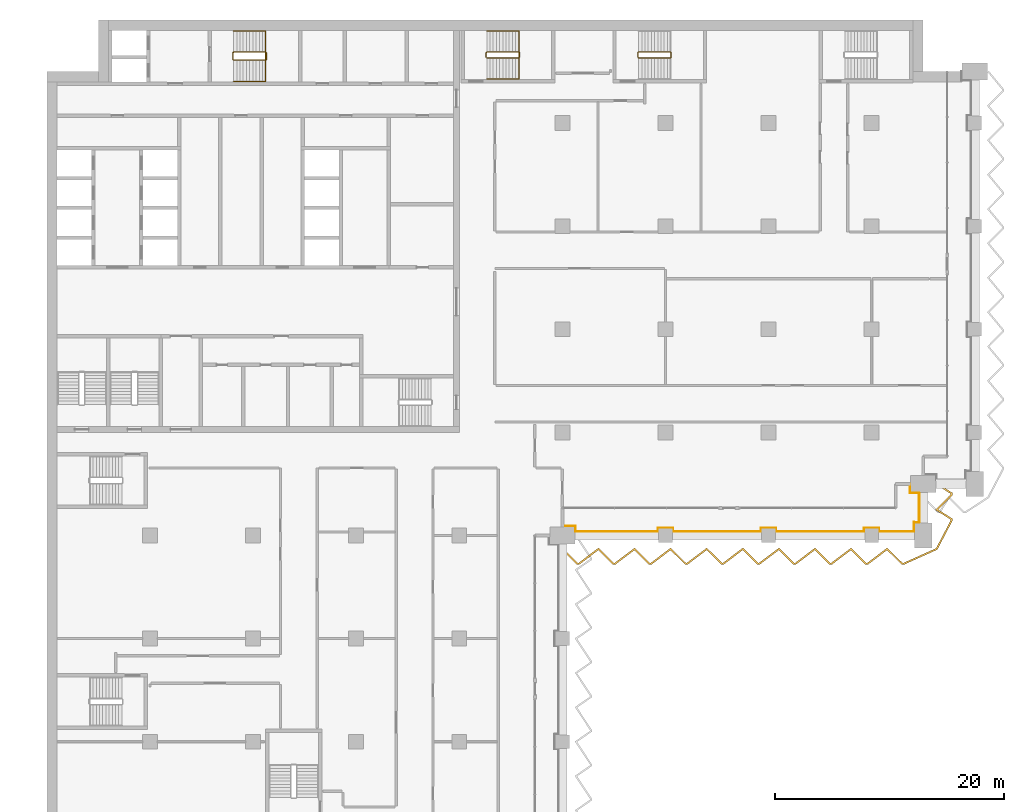
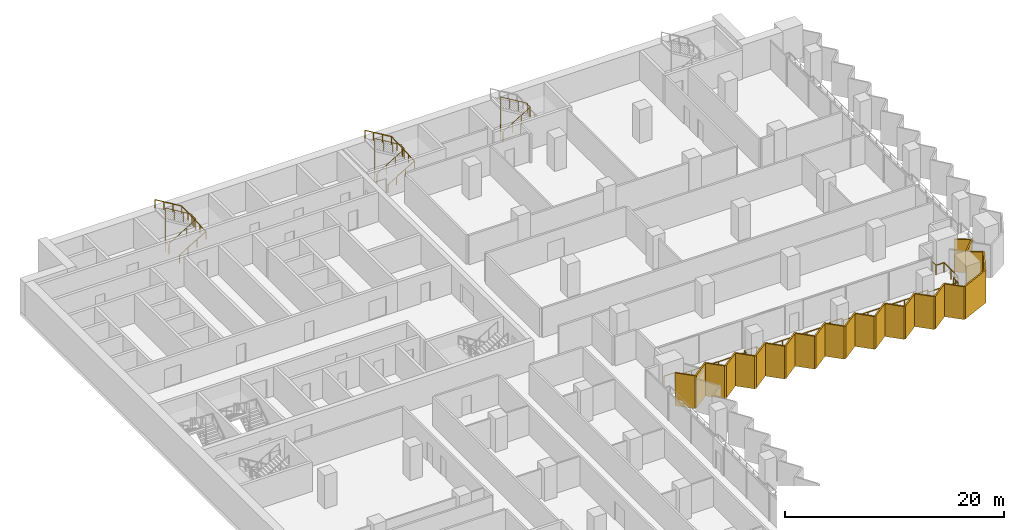
# One storey, part 22 of 23: 6 railings, 1 shading device.
"""IFC4 building model written with IfcOpenShell, lengths in metres."""

import ifcopenshell
import ifcopenshell.guid

model = None  # the IFC model being written
_history = None  # IfcOwnerHistory: only IFC2X3 demands one
_inside = {}  # id of a spatial element -> (the spatial element, [elements in it])
_under = {}  # id of a project, library or spatial element -> (it, [spatial elements below it])
_declared = {}  # id of a project -> (the project, [libraries it declares])
_typed = {}  # id of a type object -> (the type object, [elements of that type])
_made_of = {}  # id of a material, layer set ... -> (it, [elements and type objects made of it])


def new_model(schema):
    """Start an empty IFC model of exactly this schema.

    Asked for "IFC4X3", IfcOpenShell would pick the latest addendum, in which some entities
    have other attributes; the version numbers below select the first issue.
    IFC2X3 requires an IfcOwnerHistory on every rooted entity: one is made here for all.
    """
    global model, _history
    if schema == "IFC4X3":
        model = ifcopenshell.file(schema_version=(4, 3, 0, 0))
    else:
        model = ifcopenshell.file(schema=schema)
    _inside.clear()
    _under.clear()
    _declared.clear()
    _typed.clear()
    _made_of.clear()
    _history = None
    if model.schema == "IFC2X3":
        org = make("IfcOrganization", Name="unknown")
        user = make(
            "IfcPersonAndOrganization",
            ThePerson=make("IfcPerson", FamilyName="unknown"),
            TheOrganization=org,
        )
        app = make(
            "IfcApplication",
            ApplicationDeveloper=org,
            Version="unknown",
            ApplicationFullName="unknown",
            ApplicationIdentifier="unknown",
        )
        _history = make(
            "IfcOwnerHistory",
            OwningUser=user,
            OwningApplication=app,
            ChangeAction="ADDED",
            CreationDate=0,
        )
    return model


def make(cls, **values):
    """One entity of the class cls with the attributes given. An attribute that is None is left unset."""
    return model.create_entity(
        cls, **{name: value for name, value in values.items() if value is not None}
    )


def rooted(cls, **values):
    """An entity with a GlobalId (a new one), such as an element, a storey or a relation."""
    return make(cls, GlobalId=ifcopenshell.guid.new(), OwnerHistory=_history, **values)


def si_unit(unit_type, name, prefix=None):
    """IfcSIUnit, for example si_unit("LENGTHUNIT", "METRE", prefix="MILLI")."""
    return make("IfcSIUnit", UnitType=unit_type, Prefix=prefix, Name=name)


def assignment(units):
    """IfcUnitAssignment: the units of a project."""
    return None if units is None else make("IfcUnitAssignment", Units=units)


def point(xyz):
    """IfcCartesianPoint."""
    return None if xyz is None else make("IfcCartesianPoint", Coordinates=xyz)


def direction(xyz):
    """IfcDirection."""
    return None if xyz is None else make("IfcDirection", DirectionRatios=xyz)


def frame(location, z_axis=None, x_axis=None):
    """IfcAxis2Placement3D, a coordinate frame: its origin and axes. An axis left out is left unset."""
    return make(
        "IfcAxis2Placement3D",
        Location=point(location),
        Axis=direction(z_axis),
        RefDirection=direction(x_axis),
    )


def frame_2d(location, x_axis=None):
    """IfcAxis2Placement2D, a coordinate frame in the plane: its origin and x axis."""
    return make(
        "IfcAxis2Placement2D", Location=point(location), RefDirection=direction(x_axis)
    )


def origin():
    """The frame at (0, 0, 0) with its axes left unset."""
    return frame((0.0, 0.0, 0.0))


def origin_2d():
    """The frame at (0, 0) in the plane with its x axis left unset."""
    return frame_2d((0.0, 0.0))


def place(relative_to, where):
    """IfcLocalPlacement: puts the frame where relative to a parent placement (None: the world)."""
    return make(
        "IfcLocalPlacement", PlacementRelTo=relative_to, RelativePlacement=where
    )


def context(
    kind, dimensions, precision=None, world=None, true_north=None, identifier=None
):
    """IfcGeometricRepresentationContext, for example the 3D "Model" context."""
    return make(
        "IfcGeometricRepresentationContext",
        ContextIdentifier=identifier,
        ContextType=kind,
        CoordinateSpaceDimension=dimensions,
        Precision=precision,
        WorldCoordinateSystem=world,
        TrueNorth=true_north,
    )


def subcontext(parent, identifier, kind, view, scale=None):
    """IfcGeometricRepresentationSubContext, for example "Body" below "Model"."""
    return make(
        "IfcGeometricRepresentationSubContext",
        ContextIdentifier=identifier,
        ContextType=kind,
        ParentContext=parent,
        TargetScale=scale,
        TargetView=view,
    )


def project(units=None, contexts=None):
    """IfcProject with its units and contexts."""
    return rooted(
        "IfcProject",
        Name="project",
        RepresentationContexts=contexts,
        UnitsInContext=assignment(units),
    )


def spatial(cls, under=None, at=None, **own):
    """A site, building, storey or space (cls), placed at a placement, below another one or the project."""
    s = rooted(cls, ObjectPlacement=at, **own)
    if under is not None:
        _under.setdefault(under.id(), (under, []))[1].append(s)
    return s


def polyline(points):
    """IfcPolyline through the points."""
    return make("IfcPolyline", Points=[point(p) for p in points])


def profile(cls, at=None, kind="AREA", **sizes):
    """A parametric profile (cls). Its sizes go by their IFC names, for example OverallWidth=200.0."""
    return make(cls, ProfileType=kind, Position=at, **sizes)


def circle(**sizes):
    """IfcCircleProfileDef."""
    return profile("IfcCircleProfileDef", **sizes)


def outline(outer, holes=None, kind="AREA"):
    """IfcArbitraryClosedProfileDef: a profile drawn as a closed curve; with holes, ...WithVoids."""
    if holes is None:
        return make("IfcArbitraryClosedProfileDef", ProfileType=kind, OuterCurve=outer)
    return make(
        "IfcArbitraryProfileDefWithVoids",
        ProfileType=kind,
        OuterCurve=outer,
        InnerCurves=holes,
    )


def extrude(swept, where, along, depth):
    """IfcExtrudedAreaSolid: the profile swept, set in the frame where, extruded along a direction by depth."""
    return make(
        "IfcExtrudedAreaSolid",
        SweptArea=swept,
        Position=where,
        ExtrudedDirection=direction(along),
        Depth=depth,
    )


def shape(context_of_items, identifier, shape_type, items):
    """IfcShapeRepresentation: the items that make up one representation, for example the "Body"."""
    return make(
        "IfcShapeRepresentation",
        ContextOfItems=context_of_items,
        RepresentationIdentifier=identifier,
        RepresentationType=shape_type,
        Items=items,
    )


def material(Name=None, Category=None):
    """IfcMaterial."""
    return make("IfcMaterial", Name=Name, Category=Category)


def layer(
    of_material, thickness, ventilated=None, Name=None, Category=None, Priority=None
):
    """IfcMaterialLayer: one layer of a wall or slab, of a material (None: an air gap)."""
    return make(
        "IfcMaterialLayer",
        Material=of_material,
        LayerThickness=thickness,
        IsVentilated=ventilated,
        Name=Name,
        Category=Category,
        Priority=Priority,
    )


def layer_set(layers, Name=None):
    """IfcMaterialLayerSet."""
    return make("IfcMaterialLayerSet", MaterialLayers=layers, LayerSetName=Name)


def made_of(thing, what):
    """Note that an element or type object is made of a material, layer set ...; save() writes the relation."""
    if what is not None:
        _made_of.setdefault(what.id(), (what, []))[1].append(thing)
    return thing


def type_object(cls, material=None, **own):
    """A type object (cls), such as IfcWallType, which elements share."""
    return made_of(rooted(cls, **own), material)


def element(
    cls,
    number,
    at=None,
    inside=None,
    cuts=None,
    type_object=None,
    material=None,
    context=None,
    identifier="Body",
    shape_type=None,
    held_by="IfcProductDefinitionShape",
    body=None,
    shapes=None,
    **own,
):
    """One element of the class cls, such as IfcWall. Its Tag is "e" and its number.

    at: its placement. inside: the storey or other place that contains it. cuts: it is an
    opening in that element (IfcRelVoidsElement). A single representation is given by context,
    identifier, shape_type and body (its items); several are given by shapes. held_by: the class
    of the entity that holds the representations. save() writes the other relations.
    """
    e = rooted(cls, Tag="e%d" % number, ObjectPlacement=at, **own)
    if body is not None:
        shapes = [shape(context, identifier, shape_type, body)]
    if shapes is not None:
        e.Representation = make(held_by, Representations=shapes)
    if inside is not None:
        _inside.setdefault(inside.id(), (inside, []))[1].append(e)
    if cuts is not None:
        rooted(
            "IfcRelVoidsElement", RelatingBuildingElement=cuts, RelatedOpeningElement=e
        )
    if type_object is not None:
        _typed.setdefault(type_object.id(), (type_object, []))[1].append(e)
    return made_of(e, material)


def aggregate(whole, parts):
    """IfcRelAggregates: a whole, such as a stair, and the parts it consists of."""
    return rooted("IfcRelAggregates", RelatingObject=whole, RelatedObjects=parts)


def save(model, path):
    """Write the relations noted so far, then the file.

    IfcRelAggregates (storeys below a building ...), IfcRelContainedInSpatialStructure (elements
    in a storey), IfcRelDefinesByType, IfcRelAssociatesMaterial and IfcRelDeclares: one each for
    every whole, place, type object, material and project.
    """
    for whole, parts in _under.values():
        aggregate(whole, parts)
    for where, things in _inside.values():
        rooted(
            "IfcRelContainedInSpatialStructure",
            RelatedElements=things,
            RelatingStructure=where,
        )
    for kind, things in _typed.values():
        rooted("IfcRelDefinesByType", RelatedObjects=things, RelatingType=kind)
    for what, things in _made_of.values():
        rooted("IfcRelAssociatesMaterial", RelatedObjects=things, RelatingMaterial=what)
    for by, libraries in _declared.values():
        rooted("IfcRelDeclares", RelatingContext=by, RelatedDefinitions=libraries)
    model.write(path)


model = new_model("IFC4")

# Units and contexts
model_context = context("Model", 3, precision=1e-05, world=origin(), true_north=direction((0.0, 1.0)))
body_context = subcontext(model_context, "Body", "Model", "MODEL_VIEW")
ifc_project = project(units=[si_unit("LENGTHUNIT", "METRE"), si_unit("AREAUNIT", "SQUARE_METRE"), si_unit("VOLUMEUNIT", "CUBIC_METRE"), si_unit("PLANEANGLEUNIT", "RADIAN"), si_unit("MASSUNIT", "GRAM", prefix="KILO")], contexts=[model_context])

# Site, building, storey
site_placement = place(None, origin())
site = spatial("IfcSite", under=ifc_project, at=site_placement, CompositionType="ELEMENT")
building_placement = place(site_placement, origin())
building = spatial("IfcBuilding", under=site, at=building_placement, Name="Hunhe Ridgeline Campus", CompositionType="ELEMENT")
storey_placement = place(building_placement, frame((0.0, 0.0, 125.5)))
storey = spatial("IfcBuildingStorey", under=building, at=storey_placement, Name="L31", CompositionType="ELEMENT", Elevation=125.5)

# Railing
ifc_material_1 = material(Name="Steel Q355", Category="steel")
railing_type_1 = type_object("IfcRailingType", Name="Loggia guard 1100 Steel Q355", PredefinedType="GUARDRAIL", material=ifc_material_1)
railing_1_placement = place(storey_placement, frame((45.0, 54.820068359375, 0.0)))
element("IfcRailing", 1, at=railing_1_placement, inside=storey, type_object=railing_type_1, Name="Loggia guard 2", PredefinedType="GUARDRAIL", context=body_context, shape_type="SweptSolid", body=[
    extrude(circle(Radius=0.02392578125, at=origin_2d()), frame((0.0, 0.0, 1.076171875), z_axis=(1.0, 0.0, 0.0), x_axis=(0.0, 1.0, 0.0)), (0.0, 0.0, 1.0), 1.14990234375),
    extrude(circle(Radius=0.02392578125, at=origin_2d()), frame((1.14990234375, 0.0, 1.076171875), z_axis=(0.0, -1.0, 0.0), x_axis=(1.0, 0.0, 0.0)), (0.0, 0.0, 1.0), 0.469970703125),
    extrude(circle(Radius=0.02392578125, at=origin_2d()), frame((1.14990234375, -0.469970703125, 1.076171875), z_axis=(1.0, 0.0, 0.0), x_axis=(0.0, 1.0, 0.0)), (0.0, 0.0, 1.0), 7.2001953125),
    extrude(circle(Radius=0.02392578125, at=origin_2d()), frame((8.35009765625, -0.469970703125, 1.076171875), z_axis=(0.0, 1.0, 0.0), x_axis=(-1.0, 0.0, 0.0)), (0.0, 0.0, 1.0), 0.31982421875),
    extrude(circle(Radius=0.02392578125, at=origin_2d()), frame((8.35009765625, -0.150146484375, 1.076171875), z_axis=(1.0, 0.0, 0.0), x_axis=(0.0, 1.0, 0.0)), (0.0, 0.0, 1.0), 1.2998046875),
    extrude(circle(Radius=0.02392578125, at=origin_2d()), frame((9.64990234375, -0.150146484375, 1.076171875), z_axis=(0.0, -1.0, 0.0), x_axis=(1.0, 0.0, 0.0)), (0.0, 0.0, 1.0), 0.31982421875),
    extrude(circle(Radius=0.02392578125, at=origin_2d()), frame((9.64990234375, -0.469970703125, 1.076171875), z_axis=(1.0, 0.0, 0.0), x_axis=(0.0, 1.0, 0.0)), (0.0, 0.0, 1.0), 7.7001953125),
    extrude(circle(Radius=0.02392578125, at=origin_2d()), frame((17.35009765625, -0.469970703125, 1.076171875), z_axis=(0.0, 1.0, 0.0), x_axis=(-1.0, 0.0, 0.0)), (0.0, 0.0, 1.0), 0.31982421875),
    extrude(circle(Radius=0.02392578125, at=origin_2d()), frame((17.35009765625, -0.150146484375, 1.076171875), z_axis=(1.0, 0.0, 0.0), x_axis=(0.0, 1.0, 0.0)), (0.0, 0.0, 1.0), 1.2998046875),
    extrude(circle(Radius=0.02392578125, at=origin_2d()), frame((18.64990234375, -0.150146484375, 1.076171875), z_axis=(0.0, -1.0, 0.0), x_axis=(1.0, 0.0, 0.0)), (0.0, 0.0, 1.0), 0.31982421875),
    extrude(circle(Radius=0.02392578125, at=origin_2d()), frame((18.64990234375, -0.469970703125, 1.076171875), z_axis=(1.0, 0.0, 0.0), x_axis=(0.0, 1.0, 0.0)), (0.0, 0.0, 1.0), 7.7001953125),
    extrude(circle(Radius=0.02392578125, at=origin_2d()), frame((26.35009765625, -0.469970703125, 1.076171875), z_axis=(0.0, 1.0, 0.0), x_axis=(-1.0, 0.0, 0.0)), (0.0, 0.0, 1.0), 0.31982421875),
    extrude(circle(Radius=0.02392578125, at=origin_2d()), frame((26.35009765625, -0.150146484375, 1.076171875), z_axis=(1.0, 0.0, 0.0), x_axis=(0.0, 1.0, 0.0)), (0.0, 0.0, 1.0), 1.2998046875),
    extrude(circle(Radius=0.02392578125, at=origin_2d()), frame((27.64990234375, -0.150146484375, 1.076171875), z_axis=(0.0, -1.0, 0.0), x_axis=(1.0, 0.0, 0.0)), (0.0, 0.0, 1.0), 0.31982421875),
    extrude(circle(Radius=0.02392578125, at=origin_2d()), frame((27.64990234375, -0.469970703125, 1.076171875), z_axis=(1.0, 0.0, 0.0), x_axis=(0.0, 1.0, 0.0)), (0.0, 0.0, 1.0), 3.050048828125),
    extrude(circle(Radius=0.02392578125, at=origin_2d()), frame((30.699951171875, -0.469970703125, 1.076171875), z_axis=(0.0, 1.0, 0.0), x_axis=(-1.0, 0.0, 0.0)), (0.0, 0.0, 1.0), 0.81982421875),
    extrude(circle(Radius=0.02392578125, at=origin_2d()), frame((30.699951171875, 0.349853515625, 1.076171875), z_axis=(-0.057129153726, -0.99836679622, 0.0), x_axis=(0.99836679622, -0.057129153726, 0.0)), (0.0, 0.0, 1.0), 0.350341796875),
    extrude(circle(Radius=0.02392578125, at=origin_2d()), frame((30.679931640625, 0.0, 1.076171875), z_axis=(0.0, 1.0, 0.0), x_axis=(-1.0, 0.0, 0.0)), (0.0, 0.0, 1.0), 0.329833984375),
    extrude(circle(Radius=0.02392578125, at=origin_2d()), frame((30.679931640625, 0.329833984375, 1.076171875), z_axis=(1.0, 0.0, 0.0), x_axis=(0.0, 1.0, 0.0)), (0.0, 0.0, 1.0), 0.469970703125),
    extrude(circle(Radius=0.02392578125, at=origin_2d()), frame((31.14990234375, 0.329833984375, 1.076171875), z_axis=(0.0, 1.0, 0.0), x_axis=(-1.0, 0.0, 0.0)), (0.0, 0.0, 1.0), 2.550048828125),
    extrude(circle(Radius=0.02392578125, at=origin_2d()), frame((31.14990234375, 2.8798828125, 1.076171875), z_axis=(-1.0, 0.0, 0.0), x_axis=(0.0, -1.0, 0.0)), (0.0, 0.0, 1.0), 0.81982421875),
    extrude(circle(Radius=0.02392578125, at=origin_2d()), frame((30.330078125, 2.8798828125, 1.076171875), z_axis=(0.0, 1.0, 0.0), x_axis=(-1.0, 0.0, 0.0)), (0.0, 0.0, 1.0), 0.800048828125),
    extrude(circle(Radius=0.02099609375, at=origin_2d()), origin(), (0.0, 0.0, 1.0), 1.052001953125),
    extrude(circle(Radius=0.02099609375, at=origin_2d()), frame((1.14990234375, 0.0, 0.0)), (0.0, 0.0, 1.0), 1.052001953125),
    extrude(circle(Radius=0.02099609375, at=origin_2d()), frame((1.14990234375, -0.469970703125, 0.0)), (0.0, 0.0, 1.0), 1.052001953125),
    extrude(circle(Radius=0.02099609375, at=origin_2d()), frame((2.58984375, -0.469970703125, 0.0)), (0.0, 0.0, 1.0), 1.052001953125),
    extrude(circle(Radius=0.02099609375, at=origin_2d()), frame((4.030029296875, -0.469970703125, 0.0)), (0.0, 0.0, 1.0), 1.052001953125),
    extrude(circle(Radius=0.02099609375, at=origin_2d()), frame((5.469970703125, -0.469970703125, 0.0)), (0.0, 0.0, 1.0), 1.052001953125),
    extrude(circle(Radius=0.02099609375, at=origin_2d()), frame((6.91015625, -0.469970703125, 0.0)), (0.0, 0.0, 1.0), 1.052001953125),
    extrude(circle(Radius=0.02099609375, at=origin_2d()), frame((8.35009765625, -0.469970703125, 0.0)), (0.0, 0.0, 1.0), 1.052001953125),
    extrude(circle(Radius=0.02099609375, at=origin_2d()), frame((8.35009765625, -0.150146484375, 0.0)), (0.0, 0.0, 1.0), 1.052001953125),
    extrude(circle(Radius=0.02099609375, at=origin_2d()), frame((9.64990234375, -0.150146484375, 0.0)), (0.0, 0.0, 1.0), 1.052001953125),
    extrude(circle(Radius=0.02099609375, at=origin_2d()), frame((9.64990234375, -0.469970703125, 0.0)), (0.0, 0.0, 1.0), 1.052001953125),
    extrude(circle(Radius=0.02099609375, at=origin_2d()), frame((10.933349609375, -0.469970703125, 0.0)), (0.0, 0.0, 1.0), 1.052001953125),
    extrude(circle(Radius=0.02099609375, at=origin_2d()), frame((12.216552734375, -0.469970703125, 0.0)), (0.0, 0.0, 1.0), 1.052001953125),
    extrude(circle(Radius=0.02099609375, at=origin_2d()), frame((13.5, -0.469970703125, 0.0)), (0.0, 0.0, 1.0), 1.052001953125),
    extrude(circle(Radius=0.02099609375, at=origin_2d()), frame((14.783447265625, -0.469970703125, 0.0)), (0.0, 0.0, 1.0), 1.052001953125),
    extrude(circle(Radius=0.02099609375, at=origin_2d()), frame((16.066650390625, -0.469970703125, 0.0)), (0.0, 0.0, 1.0), 1.052001953125),
    extrude(circle(Radius=0.02099609375, at=origin_2d()), frame((17.35009765625, -0.469970703125, 0.0)), (0.0, 0.0, 1.0), 1.052001953125),
    extrude(circle(Radius=0.02099609375, at=origin_2d()), frame((17.35009765625, -0.150146484375, 0.0)), (0.0, 0.0, 1.0), 1.052001953125),
    extrude(circle(Radius=0.02099609375, at=origin_2d()), frame((18.64990234375, -0.150146484375, 0.0)), (0.0, 0.0, 1.0), 1.052001953125),
    extrude(circle(Radius=0.02099609375, at=origin_2d()), frame((18.64990234375, -0.469970703125, 0.0)), (0.0, 0.0, 1.0), 1.052001953125),
    extrude(circle(Radius=0.02099609375, at=origin_2d()), frame((19.933349609375, -0.469970703125, 0.0)), (0.0, 0.0, 1.0), 1.052001953125),
    extrude(circle(Radius=0.02099609375, at=origin_2d()), frame((21.216552734375, -0.469970703125, 0.0)), (0.0, 0.0, 1.0), 1.052001953125),
    extrude(circle(Radius=0.02099609375, at=origin_2d()), frame((22.5, -0.469970703125, 0.0)), (0.0, 0.0, 1.0), 1.052001953125),
    extrude(circle(Radius=0.02099609375, at=origin_2d()), frame((23.783447265625, -0.469970703125, 0.0)), (0.0, 0.0, 1.0), 1.052001953125),
    extrude(circle(Radius=0.02099609375, at=origin_2d()), frame((25.066650390625, -0.469970703125, 0.0)), (0.0, 0.0, 1.0), 1.052001953125),
    extrude(circle(Radius=0.02099609375, at=origin_2d()), frame((26.35009765625, -0.469970703125, 0.0)), (0.0, 0.0, 1.0), 1.052001953125),
    extrude(circle(Radius=0.02099609375, at=origin_2d()), frame((26.35009765625, -0.150146484375, 0.0)), (0.0, 0.0, 1.0), 1.052001953125),
    extrude(circle(Radius=0.02099609375, at=origin_2d()), frame((27.64990234375, -0.150146484375, 0.0)), (0.0, 0.0, 1.0), 1.052001953125),
    extrude(circle(Radius=0.02099609375, at=origin_2d()), frame((27.64990234375, -0.469970703125, 0.0)), (0.0, 0.0, 1.0), 1.052001953125),
    extrude(circle(Radius=0.02099609375, at=origin_2d()), frame((28.66650390625, -0.469970703125, 0.0)), (0.0, 0.0, 1.0), 1.052001953125),
    extrude(circle(Radius=0.02099609375, at=origin_2d()), frame((29.683349609375, -0.469970703125, 0.0)), (0.0, 0.0, 1.0), 1.052001953125),
    extrude(circle(Radius=0.02099609375, at=origin_2d()), frame((30.699951171875, -0.469970703125, 0.0)), (0.0, 0.0, 1.0), 1.052001953125),
    extrude(circle(Radius=0.02099609375, at=origin_2d()), frame((30.699951171875, 0.349853515625, 0.0)), (0.0, 0.0, 1.0), 1.052001953125),
    extrude(circle(Radius=0.02099609375, at=origin_2d()), frame((30.679931640625, 0.0, 0.0)), (0.0, 0.0, 1.0), 1.052001953125),
    extrude(circle(Radius=0.02099609375, at=origin_2d()), frame((30.679931640625, 0.329833984375, 0.0)), (0.0, 0.0, 1.0), 1.052001953125),
    extrude(circle(Radius=0.02099609375, at=origin_2d()), frame((31.14990234375, 0.329833984375, 0.0)), (0.0, 0.0, 1.0), 1.052001953125),
    extrude(circle(Radius=0.02099609375, at=origin_2d()), frame((31.14990234375, 1.60498046875, 0.0)), (0.0, 0.0, 1.0), 1.052001953125),
    extrude(circle(Radius=0.02099609375, at=origin_2d()), frame((31.14990234375, 2.8798828125, 0.0)), (0.0, 0.0, 1.0), 1.052001953125),
    extrude(circle(Radius=0.02099609375, at=origin_2d()), frame((30.330078125, 2.8798828125, 0.0)), (0.0, 0.0, 1.0), 1.052001953125),
    extrude(circle(Radius=0.02099609375, at=origin_2d()), frame((30.330078125, 3.679931640625, 0.0)), (0.0, 0.0, 1.0), 1.052001953125),
])

# Shading device
ifc_material_2 = material(Name="Concrete C50", Category="concrete")
ifc_layer = layer(ifc_material_2, 0.14990234375)
ifc_layer_set = layer_set([ifc_layer], Name="Sawtooth concrete fin 150 Concrete C50")
shading_device_type = type_object("IfcShadingDeviceType", Name="Sawtooth concrete fin 150 Concrete C50", PredefinedType="USERDEFINED", material=ifc_layer_set)
shading_device_placement = place(storey_placement, frame((0.0, 0.0, -0.949951171875)))
element("IfcShadingDevice", 2, at=shading_device_placement, inside=storey, type_object=shading_device_type, Name="Concrete fin screen 2", ObjectType="FIN", PredefinedType="USERDEFINED", context=body_context, shape_type="SweptSolid", body=[
    extrude(outline(polyline([(45.052734375, 52.878173828125), (44.947265625, 52.771728515625), (46.279296875, 51.449951171875), (46.455322265625, 51.449951171875), (48.143310546875, 52.725830078125), (49.429443359375, 51.449951171875), (49.60546875, 51.449951171875), (51.29345703125, 52.725830078125), (52.579345703125, 51.449951171875), (52.75537109375, 51.449951171875), (54.443359375, 52.725830078125), (55.729248046875, 51.449951171875), (55.905517578125, 51.449951171875), (57.59326171875, 52.725830078125), (58.87939453125, 51.449951171875), (59.055419921875, 51.449951171875), (60.743408203125, 52.725830078125), (62.029296875, 51.449951171875), (62.205322265625, 51.449951171875), (63.893310546875, 52.725830078125), (65.179443359375, 51.449951171875), (65.35546875, 51.449951171875), (67.04345703125, 52.725830078125), (68.329345703125, 51.449951171875), (68.50537109375, 51.449951171875), (70.193359375, 52.725830078125), (71.479248046875, 51.449951171875), (71.655517578125, 51.449951171875), (73.34326171875, 52.725830078125), (74.62939453125, 51.449951171875), (74.79638671875, 51.449951171875), (77.7294921875, 52.767333984375), (79.050048828125, 55.291748046875), (79.050048828125, 55.4716796875), (77.794189453125, 56.263671875), (79.050048828125, 57.529296875), (79.050048828125, 57.7216796875), (77.715087890625, 58.5634765625), (77.635009765625, 58.4365234375), (78.89990234375, 57.638916015625), (78.89990234375, 57.591064453125), (77.555908203125, 56.236328125), (78.89990234375, 55.388916015625), (78.89990234375, 55.32861328125), (77.62060546875, 52.8828125), (74.76416015625, 51.60009765625), (74.691162109375, 51.60009765625), (73.356689453125, 52.924072265625), (71.60498046875, 51.60009765625), (71.541259765625, 51.60009765625), (70.20654296875, 52.924072265625), (68.455078125, 51.60009765625), (68.39111328125, 51.60009765625), (67.056640625, 52.924072265625), (65.30517578125, 51.60009765625), (65.2412109375, 51.60009765625), (63.90673828125, 52.924072265625), (62.155029296875, 51.60009765625), (62.091064453125, 51.60009765625), (60.756591796875, 52.924072265625), (59.005126953125, 51.60009765625), (58.941162109375, 51.60009765625), (57.606689453125, 52.924072265625), (55.85498046875, 51.60009765625), (55.791259765625, 51.60009765625), (54.45654296875, 52.924072265625), (52.705078125, 51.60009765625), (52.64111328125, 51.60009765625), (51.306640625, 52.924072265625), (49.55517578125, 51.60009765625), (49.4912109375, 51.60009765625), (48.15673828125, 52.924072265625), (46.405029296875, 51.60009765625), (46.341064453125, 51.60009765625), (45.052734375, 52.878173828125)])), origin(), (0.0, 0.0, 1.0), 3.64990234375),
])

# Railings
ifc_material_3 = material(Name="Stainless steel balustrade", Category="steel")
railing_type_2 = type_object("IfcRailingType", Name="Stair guard 1100 stainless", PredefinedType="GUARDRAIL", material=ifc_material_3)
railing_2_placement = place(storey_placement, frame((16.300048828125, 95.5, 0.168212890625)))
element("IfcRailing", 3, at=railing_2_placement, inside=storey, type_object=railing_type_2, Name="L31 stair S1 guard", PredefinedType="GUARDRAIL", context=body_context, shape_type="SweptSolid", body=[
    extrude(circle(Radius=0.02392578125, at=origin_2d()), frame((0.0, 0.0, 1.076171875), z_axis=(0.857242210791, 0.0, 0.514913383045), x_axis=(0.0, 1.0, 0.0)), (0.0, 0.0, 1.0), 3.266357421875),
    extrude(circle(Radius=0.02392578125, at=origin_2d()), frame((2.800048828125, 0.0, 2.7578125), z_axis=(0.705375805398, 0.708833529934, 0.0), x_axis=(-0.708833529934, 0.705375805398, 0.0)), (0.0, 0.0, 1.0), 0.070556640625),
    extrude(circle(Radius=0.02392578125, at=origin_2d()), frame((2.849853515625, 0.050048828125, 2.7578125), z_axis=(0.0, 1.0, 0.0), x_axis=(-1.0, 0.0, 0.0)), (0.0, 0.0, 1.0), 0.599853515625),
    extrude(circle(Radius=0.02392578125, at=origin_2d()), frame((2.849853515625, 0.64990234375, 2.7578125), z_axis=(-0.273343290215, 0.274683208305, 0.921863645432), x_axis=(-0.708833529934, -0.705375805398, 0.0)), (0.0, 0.0, 1.0), 0.18212890625),
    extrude(circle(Radius=0.02392578125, at=origin_2d()), frame((2.800048828125, 0.699951171875, 2.92578125), z_axis=(-0.857242210791, 0.0, 0.514913383045), x_axis=(0.0, -1.0, 0.0)), (0.0, 0.0, 1.0), 3.266357421875),
    extrude(circle(Radius=0.02392578125, at=origin_2d()), frame((0.0, 0.699951171875, 4.60791015625), z_axis=(-0.013524414389, -0.013524414389, -0.999817073484), x_axis=(0.707106781187, -0.707106781187, 0.0)), (0.0, 0.0, 1.0), 3.70068359375),
    extrude(circle(Radius=0.02392578125, at=origin_2d()), frame((-0.050048828125, 0.64990234375, 0.90771484375), z_axis=(0.0, -1.0, 0.0), x_axis=(1.0, 0.0, 0.0)), (0.0, 0.0, 1.0), 0.599853515625),
    extrude(circle(Radius=0.02099609375, at=origin_2d()), origin(), (0.0, 0.0, 1.0), 1.052001953125),
    extrude(circle(Radius=0.02099609375, at=origin_2d()), frame((0.933349609375, 0.0, 0.560546875)), (0.0, 0.0, 1.0), 1.052001953125),
    extrude(circle(Radius=0.02099609375, at=origin_2d()), frame((1.86669921875, 0.0, 1.121337890625)), (0.0, 0.0, 1.0), 1.052001953125),
    extrude(circle(Radius=0.02099609375, at=origin_2d()), frame((2.800048828125, 0.0, 1.681884765625)), (0.0, 0.0, 1.0), 1.052001953125),
    extrude(circle(Radius=0.02099609375, at=origin_2d()), frame((2.849853515625, 0.050048828125, 1.681884765625)), (0.0, 0.0, 1.0), 1.052001953125),
    extrude(circle(Radius=0.02099609375, at=origin_2d()), frame((2.849853515625, 0.64990234375, 1.681884765625)), (0.0, 0.0, 1.0), 1.052001953125),
    extrude(circle(Radius=0.02099609375, at=origin_2d()), frame((2.800048828125, 0.699951171875, 1.849853515625)), (0.0, 0.0, 1.0), 1.052001953125),
    extrude(circle(Radius=0.02099609375, at=origin_2d()), frame((1.86669921875, 0.699951171875, 2.410400390625)), (0.0, 0.0, 1.0), 1.052001953125),
    extrude(circle(Radius=0.02099609375, at=origin_2d()), frame((0.933349609375, 0.699951171875, 2.97119140625)), (0.0, 0.0, 1.0), 1.052001953125),
    extrude(circle(Radius=0.02099609375, at=origin_2d()), frame((0.0, 0.699951171875, 3.53173828125)), (0.0, 0.0, 1.0), 1.052001953125),
    extrude(circle(Radius=0.02099609375, at=origin_2d()), frame((-0.012451171875, 0.6875, 2.606689453125)), (0.0, 0.0, 1.0), 1.052001953125),
    extrude(circle(Radius=0.02099609375, at=origin_2d()), frame((-0.02490234375, 0.6748046875, 1.681640625)), (0.0, 0.0, 1.0), 1.052001953125),
    extrude(circle(Radius=0.02099609375, at=origin_2d()), frame((-0.03759765625, 0.662353515625, 0.7568359375)), (0.0, 0.0, 1.0), 1.052001953125),
    extrude(circle(Radius=0.02099609375, at=origin_2d()), frame((-0.050048828125, 0.64990234375, -0.168212890625)), (0.0, 0.0, 1.0), 1.052001953125),
    extrude(circle(Radius=0.02099609375, at=origin_2d()), frame((-0.050048828125, 0.050048828125, -0.168212890625)), (0.0, 0.0, 1.0), 1.052001953125),
])
railing_3_placement = place(storey_placement, frame((38.39990234375, 95.699951171875, 0.168212890625)))
element("IfcRailing", 4, at=railing_3_placement, inside=storey, type_object=railing_type_2, Name="L31 stair E1 guard", PredefinedType="GUARDRAIL", context=body_context, shape_type="SweptSolid", body=[
    extrude(circle(Radius=0.02392578125, at=origin_2d()), frame((0.0, 0.0, 1.076171875), z_axis=(0.857242210791, 0.0, 0.514913383045), x_axis=(0.0, 1.0, 0.0)), (0.0, 0.0, 1.0), 3.266357421875),
    extrude(circle(Radius=0.02392578125, at=origin_2d()), frame((2.800048828125, 0.0, 2.7578125), z_axis=(0.707106781187, 0.707106781187, 0.0), x_axis=(-0.707106781187, 0.707106781187, 0.0)), (0.0, 0.0, 1.0), 0.07080078125),
    extrude(circle(Radius=0.02392578125, at=origin_2d()), frame((2.85009765625, 0.050048828125, 2.7578125), z_axis=(0.0, 1.0, 0.0), x_axis=(-1.0, 0.0, 0.0)), (0.0, 0.0, 1.0), 0.39990234375),
    extrude(circle(Radius=0.02392578125, at=origin_2d()), frame((2.85009765625, 0.449951171875, 2.7578125), z_axis=(-0.274582412415, 0.274582412415, 0.921525364591), x_axis=(-0.707106781187, -0.707106781187, 0.0)), (0.0, 0.0, 1.0), 0.182373046875),
    extrude(circle(Radius=0.02392578125, at=origin_2d()), frame((2.800048828125, 0.5, 2.92578125), z_axis=(-0.857242210791, 0.0, 0.514913383045), x_axis=(0.0, -1.0, 0.0)), (0.0, 0.0, 1.0), 3.266357421875),
    extrude(circle(Radius=0.02392578125, at=origin_2d()), frame((0.0, 0.5, 4.60791015625), z_axis=(-0.013458453615, -0.013524426427, -0.999817963389), x_axis=(0.708833529934, -0.705375805398, 0.0)), (0.0, 0.0, 1.0), 3.70068359375),
    extrude(circle(Radius=0.02392578125, at=origin_2d()), frame((-0.0498046875, 0.449951171875, 0.90771484375), z_axis=(0.0, -1.0, 0.0), x_axis=(1.0, 0.0, 0.0)), (0.0, 0.0, 1.0), 0.39990234375),
    extrude(circle(Radius=0.02099609375, at=origin_2d()), origin(), (0.0, 0.0, 1.0), 1.052001953125),
    extrude(circle(Radius=0.02099609375, at=origin_2d()), frame((0.933349609375, 0.0, 0.560546875)), (0.0, 0.0, 1.0), 1.052001953125),
    extrude(circle(Radius=0.02099609375, at=origin_2d()), frame((1.86669921875, 0.0, 1.121337890625)), (0.0, 0.0, 1.0), 1.052001953125),
    extrude(circle(Radius=0.02099609375, at=origin_2d()), frame((2.800048828125, 0.0, 1.681884765625)), (0.0, 0.0, 1.0), 1.052001953125),
    extrude(circle(Radius=0.02099609375, at=origin_2d()), frame((2.85009765625, 0.050048828125, 1.681884765625)), (0.0, 0.0, 1.0), 1.052001953125),
    extrude(circle(Radius=0.02099609375, at=origin_2d()), frame((2.85009765625, 0.449951171875, 1.681884765625)), (0.0, 0.0, 1.0), 1.052001953125),
    extrude(circle(Radius=0.02099609375, at=origin_2d()), frame((2.800048828125, 0.5, 1.849853515625)), (0.0, 0.0, 1.0), 1.052001953125),
    extrude(circle(Radius=0.02099609375, at=origin_2d()), frame((1.86669921875, 0.5, 2.410400390625)), (0.0, 0.0, 1.0), 1.052001953125),
    extrude(circle(Radius=0.02099609375, at=origin_2d()), frame((0.933349609375, 0.5, 2.97119140625)), (0.0, 0.0, 1.0), 1.052001953125),
    extrude(circle(Radius=0.02099609375, at=origin_2d()), frame((0.0, 0.5, 3.53173828125)), (0.0, 0.0, 1.0), 1.052001953125),
    extrude(circle(Radius=0.02099609375, at=origin_2d()), frame((-0.012451171875, 0.487548828125, 2.606689453125)), (0.0, 0.0, 1.0), 1.052001953125),
    extrude(circle(Radius=0.02099609375, at=origin_2d()), frame((-0.02490234375, 0.47509765625, 1.681640625)), (0.0, 0.0, 1.0), 1.052001953125),
    extrude(circle(Radius=0.02099609375, at=origin_2d()), frame((-0.037353515625, 0.46240234375, 0.7568359375)), (0.0, 0.0, 1.0), 1.052001953125),
    extrude(circle(Radius=0.02099609375, at=origin_2d()), frame((-0.0498046875, 0.449951171875, -0.168212890625)), (0.0, 0.0, 1.0), 1.052001953125),
    extrude(circle(Radius=0.02099609375, at=origin_2d()), frame((-0.0498046875, 0.050048828125, -0.168212890625)), (0.0, 0.0, 1.0), 1.052001953125),
])
railing_4_placement = place(storey_placement, frame((51.64990234375, 95.699951171875, 0.168212890625)))
element("IfcRailing", 5, at=railing_4_placement, inside=storey, type_object=railing_type_2, Name="L31 stair E2 guard", PredefinedType="GUARDRAIL", context=body_context, shape_type="SweptSolid", body=[
    extrude(circle(Radius=0.02392578125, at=origin_2d()), frame((0.0, 0.0, 1.076171875), z_axis=(0.857242210791, 0.0, 0.514913383045), x_axis=(0.0, 1.0, 0.0)), (0.0, 0.0, 1.0), 3.266357421875),
    extrude(circle(Radius=0.02392578125, at=origin_2d()), frame((2.800048828125, 0.0, 2.7578125), z_axis=(0.707106781187, 0.707106781187, 0.0), x_axis=(-0.707106781187, 0.707106781187, 0.0)), (0.0, 0.0, 1.0), 0.07080078125),
    extrude(circle(Radius=0.02392578125, at=origin_2d()), frame((2.85009765625, 0.050048828125, 2.7578125), z_axis=(0.0, 1.0, 0.0), x_axis=(-1.0, 0.0, 0.0)), (0.0, 0.0, 1.0), 0.39990234375),
    extrude(circle(Radius=0.02392578125, at=origin_2d()), frame((2.85009765625, 0.449951171875, 2.7578125), z_axis=(-0.274582412415, 0.274582412415, 0.921525364591), x_axis=(-0.707106781187, -0.707106781187, 0.0)), (0.0, 0.0, 1.0), 0.182373046875),
    extrude(circle(Radius=0.02392578125, at=origin_2d()), frame((2.800048828125, 0.5, 2.92578125), z_axis=(-0.857242210791, 0.0, 0.514913383045), x_axis=(0.0, -1.0, 0.0)), (0.0, 0.0, 1.0), 3.266357421875),
    extrude(circle(Radius=0.02392578125, at=origin_2d()), frame((0.0, 0.5, 4.60791015625), z_axis=(-0.013458453615, -0.013524426427, -0.999817963389), x_axis=(0.708833529934, -0.705375805398, 0.0)), (0.0, 0.0, 1.0), 3.70068359375),
    extrude(circle(Radius=0.02392578125, at=origin_2d()), frame((-0.0498046875, 0.449951171875, 0.90771484375), z_axis=(0.0, -1.0, 0.0), x_axis=(1.0, 0.0, 0.0)), (0.0, 0.0, 1.0), 0.39990234375),
    extrude(circle(Radius=0.02099609375, at=origin_2d()), origin(), (0.0, 0.0, 1.0), 1.052001953125),
    extrude(circle(Radius=0.02099609375, at=origin_2d()), frame((0.933349609375, 0.0, 0.560546875)), (0.0, 0.0, 1.0), 1.052001953125),
    extrude(circle(Radius=0.02099609375, at=origin_2d()), frame((1.86669921875, 0.0, 1.121337890625)), (0.0, 0.0, 1.0), 1.052001953125),
    extrude(circle(Radius=0.02099609375, at=origin_2d()), frame((2.800048828125, 0.0, 1.681884765625)), (0.0, 0.0, 1.0), 1.052001953125),
    extrude(circle(Radius=0.02099609375, at=origin_2d()), frame((2.85009765625, 0.050048828125, 1.681884765625)), (0.0, 0.0, 1.0), 1.052001953125),
    extrude(circle(Radius=0.02099609375, at=origin_2d()), frame((2.85009765625, 0.449951171875, 1.681884765625)), (0.0, 0.0, 1.0), 1.052001953125),
    extrude(circle(Radius=0.02099609375, at=origin_2d()), frame((2.800048828125, 0.5, 1.849853515625)), (0.0, 0.0, 1.0), 1.052001953125),
    extrude(circle(Radius=0.02099609375, at=origin_2d()), frame((1.86669921875, 0.5, 2.410400390625)), (0.0, 0.0, 1.0), 1.052001953125),
    extrude(circle(Radius=0.02099609375, at=origin_2d()), frame((0.933349609375, 0.5, 2.97119140625)), (0.0, 0.0, 1.0), 1.052001953125),
    extrude(circle(Radius=0.02099609375, at=origin_2d()), frame((0.0, 0.5, 3.53173828125)), (0.0, 0.0, 1.0), 1.052001953125),
    extrude(circle(Radius=0.02099609375, at=origin_2d()), frame((-0.012451171875, 0.487548828125, 2.606689453125)), (0.0, 0.0, 1.0), 1.052001953125),
    extrude(circle(Radius=0.02099609375, at=origin_2d()), frame((-0.02490234375, 0.47509765625, 1.681640625)), (0.0, 0.0, 1.0), 1.052001953125),
    extrude(circle(Radius=0.02099609375, at=origin_2d()), frame((-0.037353515625, 0.46240234375, 0.7568359375)), (0.0, 0.0, 1.0), 1.052001953125),
    extrude(circle(Radius=0.02099609375, at=origin_2d()), frame((-0.0498046875, 0.449951171875, -0.168212890625)), (0.0, 0.0, 1.0), 1.052001953125),
    extrude(circle(Radius=0.02099609375, at=origin_2d()), frame((-0.0498046875, 0.050048828125, -0.168212890625)), (0.0, 0.0, 1.0), 1.052001953125),
])
ifc_material_4 = material(Name="Stainless steel handrail", Category="steel")
railing_type_3 = type_object("IfcRailingType", Name="Stair handrail 900 stainless", PredefinedType="HANDRAIL", material=ifc_material_4)
railing_5_placement = place(storey_placement, frame((16.300048828125, 93.64990234375, 0.168212890625)))
element("IfcRailing", 6, at=railing_5_placement, inside=storey, type_object=railing_type_3, Name="L31 stair S1 handrail", PredefinedType="HANDRAIL", context=body_context, shape_type="SweptSolid", body=[
    extrude(circle(Radius=0.02392578125, at=origin_2d()), frame((0.0, 0.0, 0.8759765625), z_axis=(0.857242210791, 0.0, 0.514913383045), x_axis=(0.0, 1.0, 0.0)), (0.0, 0.0, 1.0), 3.266357421875),
    extrude(circle(Radius=0.02392578125, at=origin_2d()), frame((2.800048828125, 0.0, 2.5576171875), z_axis=(0.0, 0.999272189381, 0.038145662004), x_axis=(-1.0, 0.0, 0.0)), (0.0, 0.0, 1.0), 4.4033203125),
    extrude(circle(Radius=0.02392578125, at=origin_2d()), frame((2.800048828125, 4.400146484375, 2.7255859375), z_axis=(-0.857242210791, 0.0, 0.514913383045), x_axis=(0.0, -1.0, 0.0)), (0.0, 0.0, 1.0), 3.266357421875),
    extrude(circle(Radius=0.02099609375, at=origin_2d()), origin(), (0.0, 0.0, 1.0), 0.851806640625),
    extrude(circle(Radius=0.02099609375, at=origin_2d()), frame((0.933349609375, 0.0, 0.560546875)), (0.0, 0.0, 1.0), 0.851806640625),
    extrude(circle(Radius=0.02099609375, at=origin_2d()), frame((1.86669921875, 0.0, 1.121337890625)), (0.0, 0.0, 1.0), 0.851806640625),
    extrude(circle(Radius=0.02099609375, at=origin_2d()), frame((2.800048828125, 0.0, 1.681884765625)), (0.0, 0.0, 1.0), 0.851806640625),
    extrude(circle(Radius=0.02099609375, at=origin_2d()), frame((2.800048828125, 1.10009765625, 1.723876953125)), (0.0, 0.0, 1.0), 0.851806640625),
    extrude(circle(Radius=0.02099609375, at=origin_2d()), frame((2.800048828125, 2.2001953125, 1.765869140625)), (0.0, 0.0, 1.0), 0.851806640625),
    extrude(circle(Radius=0.02099609375, at=origin_2d()), frame((2.800048828125, 3.300048828125, 1.807861328125)), (0.0, 0.0, 1.0), 0.851806640625),
    extrude(circle(Radius=0.02099609375, at=origin_2d()), frame((2.800048828125, 4.400146484375, 1.849853515625)), (0.0, 0.0, 1.0), 0.851806640625),
    extrude(circle(Radius=0.02099609375, at=origin_2d()), frame((1.86669921875, 4.400146484375, 2.410400390625)), (0.0, 0.0, 1.0), 0.851806640625),
    extrude(circle(Radius=0.02099609375, at=origin_2d()), frame((0.933349609375, 4.400146484375, 2.97119140625)), (0.0, 0.0, 1.0), 0.851806640625),
    extrude(circle(Radius=0.02099609375, at=origin_2d()), frame((0.0, 4.400146484375, 3.53173828125)), (0.0, 0.0, 1.0), 0.851806640625),
])
railing_6_placement = place(storey_placement, frame((38.39990234375, 93.85009765625, 0.168212890625)))
element("IfcRailing", 7, at=railing_6_placement, inside=storey, type_object=railing_type_3, Name="L31 stair E1 handrail", PredefinedType="HANDRAIL", context=body_context, shape_type="SweptSolid", body=[
    extrude(circle(Radius=0.02392578125, at=origin_2d()), frame((0.0, 0.0, 0.8759765625), z_axis=(0.857242210791, 0.0, 0.514913383045), x_axis=(0.0, 1.0, 0.0)), (0.0, 0.0, 1.0), 3.266357421875),
    extrude(circle(Radius=0.02392578125, at=origin_2d()), frame((2.800048828125, 0.0, 2.5576171875), z_axis=(0.0, 0.99920123705, 0.039961079526), x_axis=(-1.0, 0.0, 0.0)), (0.0, 0.0, 1.0), 4.203369140625),
    extrude(circle(Radius=0.02392578125, at=origin_2d()), frame((2.800048828125, 4.199951171875, 2.7255859375), z_axis=(-0.857242210791, 0.0, 0.514913383045), x_axis=(0.0, -1.0, 0.0)), (0.0, 0.0, 1.0), 3.266357421875),
    extrude(circle(Radius=0.02099609375, at=origin_2d()), origin(), (0.0, 0.0, 1.0), 0.851806640625),
    extrude(circle(Radius=0.02099609375, at=origin_2d()), frame((0.933349609375, 0.0, 0.560546875)), (0.0, 0.0, 1.0), 0.851806640625),
    extrude(circle(Radius=0.02099609375, at=origin_2d()), frame((1.86669921875, 0.0, 1.121337890625)), (0.0, 0.0, 1.0), 0.851806640625),
    extrude(circle(Radius=0.02099609375, at=origin_2d()), frame((2.800048828125, 0.0, 1.681884765625)), (0.0, 0.0, 1.0), 0.851806640625),
    extrude(circle(Radius=0.02099609375, at=origin_2d()), frame((2.800048828125, 1.050048828125, 1.723876953125)), (0.0, 0.0, 1.0), 0.851806640625),
    extrude(circle(Radius=0.02099609375, at=origin_2d()), frame((2.800048828125, 2.10009765625, 1.765869140625)), (0.0, 0.0, 1.0), 0.851806640625),
    extrude(circle(Radius=0.02099609375, at=origin_2d()), frame((2.800048828125, 3.14990234375, 1.807861328125)), (0.0, 0.0, 1.0), 0.851806640625),
    extrude(circle(Radius=0.02099609375, at=origin_2d()), frame((2.800048828125, 4.199951171875, 1.849853515625)), (0.0, 0.0, 1.0), 0.851806640625),
    extrude(circle(Radius=0.02099609375, at=origin_2d()), frame((1.86669921875, 4.199951171875, 2.410400390625)), (0.0, 0.0, 1.0), 0.851806640625),
    extrude(circle(Radius=0.02099609375, at=origin_2d()), frame((0.933349609375, 4.199951171875, 2.97119140625)), (0.0, 0.0, 1.0), 0.851806640625),
    extrude(circle(Radius=0.02099609375, at=origin_2d()), frame((0.0, 4.199951171875, 3.53173828125)), (0.0, 0.0, 1.0), 0.851806640625),
])

save(model, "model.ifc")
